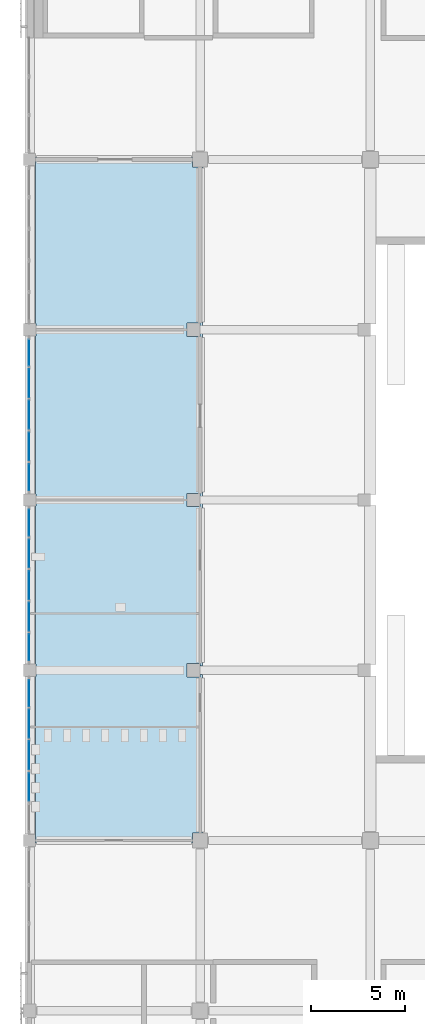
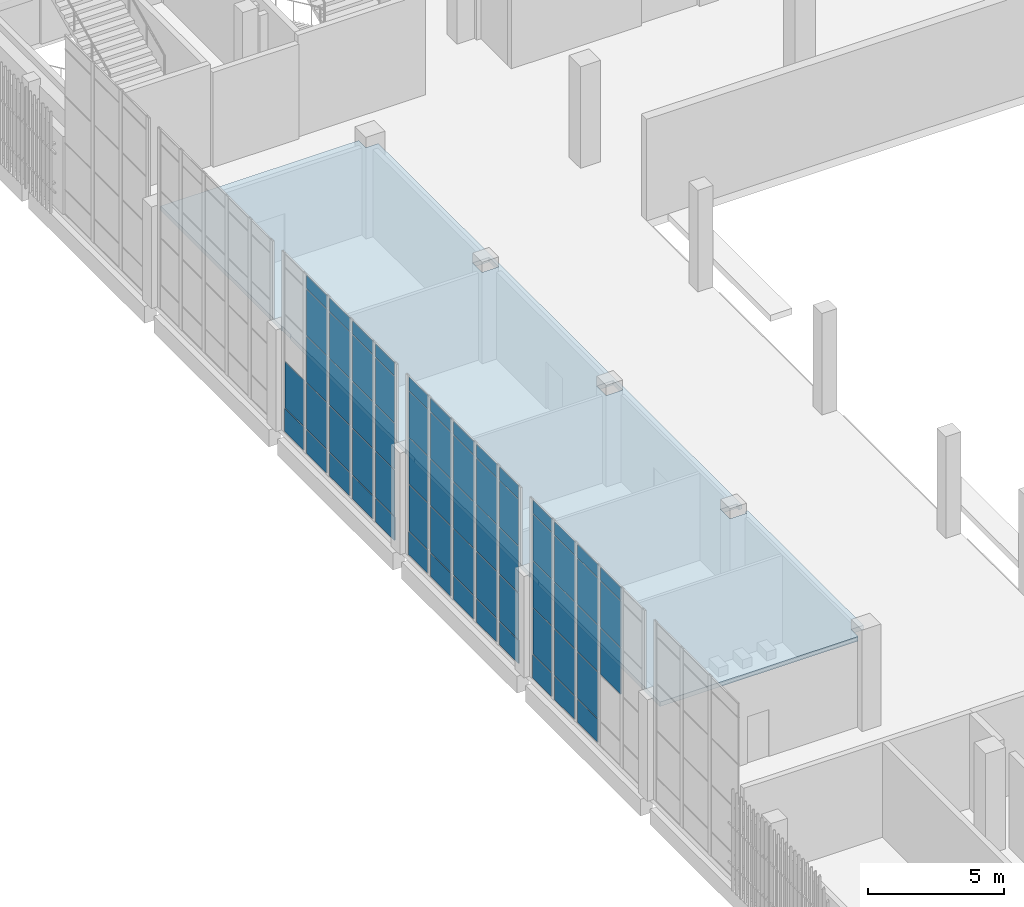
# One storey, part 64 of 126: 65 plates, 1 slab, 3 elements without a shape of their own.
"""IFC4 building model written with IfcOpenShell, lengths in metres."""

import ifcopenshell
import ifcopenshell.guid

model = None  # the IFC model being written
_history = None  # IfcOwnerHistory: only IFC2X3 demands one
_inside = {}  # id of a spatial element -> (the spatial element, [elements in it])
_under = {}  # id of a project, library or spatial element -> (it, [spatial elements below it])
_declared = {}  # id of a project -> (the project, [libraries it declares])
_typed = {}  # id of a type object -> (the type object, [elements of that type])
_made_of = {}  # id of a material, layer set ... -> (it, [elements and type objects made of it])


def new_model(schema):
    """Start an empty IFC model of exactly this schema.

    Asked for "IFC4X3", IfcOpenShell would pick the latest addendum, in which some entities
    have other attributes; the version numbers below select the first issue.
    IFC2X3 requires an IfcOwnerHistory on every rooted entity: one is made here for all.
    """
    global model, _history
    if schema == "IFC4X3":
        model = ifcopenshell.file(schema_version=(4, 3, 0, 0))
    else:
        model = ifcopenshell.file(schema=schema)
    _inside.clear()
    _under.clear()
    _declared.clear()
    _typed.clear()
    _made_of.clear()
    _history = None
    if model.schema == "IFC2X3":
        org = make("IfcOrganization", Name="unknown")
        user = make(
            "IfcPersonAndOrganization",
            ThePerson=make("IfcPerson", FamilyName="unknown"),
            TheOrganization=org,
        )
        app = make(
            "IfcApplication",
            ApplicationDeveloper=org,
            Version="unknown",
            ApplicationFullName="unknown",
            ApplicationIdentifier="unknown",
        )
        _history = make(
            "IfcOwnerHistory",
            OwningUser=user,
            OwningApplication=app,
            ChangeAction="ADDED",
            CreationDate=0,
        )
    return model


def make(cls, **values):
    """One entity of the class cls with the attributes given. An attribute that is None is left unset."""
    return model.create_entity(
        cls, **{name: value for name, value in values.items() if value is not None}
    )


def rooted(cls, **values):
    """An entity with a GlobalId (a new one), such as an element, a storey or a relation."""
    return make(cls, GlobalId=ifcopenshell.guid.new(), OwnerHistory=_history, **values)


def si_unit(unit_type, name, prefix=None):
    """IfcSIUnit, for example si_unit("LENGTHUNIT", "METRE", prefix="MILLI")."""
    return make("IfcSIUnit", UnitType=unit_type, Prefix=prefix, Name=name)


def assignment(units):
    """IfcUnitAssignment: the units of a project."""
    return None if units is None else make("IfcUnitAssignment", Units=units)


def point(xyz):
    """IfcCartesianPoint."""
    return None if xyz is None else make("IfcCartesianPoint", Coordinates=xyz)


def direction(xyz):
    """IfcDirection."""
    return None if xyz is None else make("IfcDirection", DirectionRatios=xyz)


def frame(location, z_axis=None, x_axis=None):
    """IfcAxis2Placement3D, a coordinate frame: its origin and axes. An axis left out is left unset."""
    return make(
        "IfcAxis2Placement3D",
        Location=point(location),
        Axis=direction(z_axis),
        RefDirection=direction(x_axis),
    )


def frame_2d(location, x_axis=None):
    """IfcAxis2Placement2D, a coordinate frame in the plane: its origin and x axis."""
    return make(
        "IfcAxis2Placement2D", Location=point(location), RefDirection=direction(x_axis)
    )


def origin():
    """The frame at (0, 0, 0) with its axes left unset."""
    return frame((0.0, 0.0, 0.0))


def origin_2d():
    """The frame at (0, 0) in the plane with its x axis left unset."""
    return frame_2d((0.0, 0.0))


def place(relative_to, where):
    """IfcLocalPlacement: puts the frame where relative to a parent placement (None: the world)."""
    return make(
        "IfcLocalPlacement", PlacementRelTo=relative_to, RelativePlacement=where
    )


def context(
    kind, dimensions, precision=None, world=None, true_north=None, identifier=None
):
    """IfcGeometricRepresentationContext, for example the 3D "Model" context."""
    return make(
        "IfcGeometricRepresentationContext",
        ContextIdentifier=identifier,
        ContextType=kind,
        CoordinateSpaceDimension=dimensions,
        Precision=precision,
        WorldCoordinateSystem=world,
        TrueNorth=true_north,
    )


def subcontext(parent, identifier, kind, view, scale=None):
    """IfcGeometricRepresentationSubContext, for example "Body" below "Model"."""
    return make(
        "IfcGeometricRepresentationSubContext",
        ContextIdentifier=identifier,
        ContextType=kind,
        ParentContext=parent,
        TargetScale=scale,
        TargetView=view,
    )


def project(units=None, contexts=None):
    """IfcProject with its units and contexts."""
    return rooted(
        "IfcProject",
        Name="project",
        RepresentationContexts=contexts,
        UnitsInContext=assignment(units),
    )


def spatial(cls, under=None, at=None, **own):
    """A site, building, storey or space (cls), placed at a placement, below another one or the project."""
    s = rooted(cls, ObjectPlacement=at, **own)
    if under is not None:
        _under.setdefault(under.id(), (under, []))[1].append(s)
    return s


def polyline(points):
    """IfcPolyline through the points."""
    return make("IfcPolyline", Points=[point(p) for p in points])


def profile(cls, at=None, kind="AREA", **sizes):
    """A parametric profile (cls). Its sizes go by their IFC names, for example OverallWidth=200.0."""
    return make(cls, ProfileType=kind, Position=at, **sizes)


def rectangle(**sizes):
    """IfcRectangleProfileDef."""
    return profile("IfcRectangleProfileDef", **sizes)


def outline(outer, holes=None, kind="AREA"):
    """IfcArbitraryClosedProfileDef: a profile drawn as a closed curve; with holes, ...WithVoids."""
    if holes is None:
        return make("IfcArbitraryClosedProfileDef", ProfileType=kind, OuterCurve=outer)
    return make(
        "IfcArbitraryProfileDefWithVoids",
        ProfileType=kind,
        OuterCurve=outer,
        InnerCurves=holes,
    )


def extrude(swept, where, along, depth):
    """IfcExtrudedAreaSolid: the profile swept, set in the frame where, extruded along a direction by depth."""
    return make(
        "IfcExtrudedAreaSolid",
        SweptArea=swept,
        Position=where,
        ExtrudedDirection=direction(along),
        Depth=depth,
    )


def shape(context_of_items, identifier, shape_type, items):
    """IfcShapeRepresentation: the items that make up one representation, for example the "Body"."""
    return make(
        "IfcShapeRepresentation",
        ContextOfItems=context_of_items,
        RepresentationIdentifier=identifier,
        RepresentationType=shape_type,
        Items=items,
    )


def material(Name=None, Category=None):
    """IfcMaterial."""
    return make("IfcMaterial", Name=Name, Category=Category)


def layer(
    of_material, thickness, ventilated=None, Name=None, Category=None, Priority=None
):
    """IfcMaterialLayer: one layer of a wall or slab, of a material (None: an air gap)."""
    return make(
        "IfcMaterialLayer",
        Material=of_material,
        LayerThickness=thickness,
        IsVentilated=ventilated,
        Name=Name,
        Category=Category,
        Priority=Priority,
    )


def layer_set(layers, Name=None):
    """IfcMaterialLayerSet."""
    return make("IfcMaterialLayerSet", MaterialLayers=layers, LayerSetName=Name)


def made_of(thing, what):
    """Note that an element or type object is made of a material, layer set ...; save() writes the relation."""
    if what is not None:
        _made_of.setdefault(what.id(), (what, []))[1].append(thing)
    return thing


def type_object(cls, material=None, **own):
    """A type object (cls), such as IfcWallType, which elements share."""
    return made_of(rooted(cls, **own), material)


def element(
    cls,
    number,
    at=None,
    inside=None,
    cuts=None,
    type_object=None,
    material=None,
    context=None,
    identifier="Body",
    shape_type=None,
    held_by="IfcProductDefinitionShape",
    body=None,
    shapes=None,
    **own,
):
    """One element of the class cls, such as IfcWall. Its Tag is "e" and its number.

    at: its placement. inside: the storey or other place that contains it. cuts: it is an
    opening in that element (IfcRelVoidsElement). A single representation is given by context,
    identifier, shape_type and body (its items); several are given by shapes. held_by: the class
    of the entity that holds the representations. save() writes the other relations.
    """
    e = rooted(cls, Tag="e%d" % number, ObjectPlacement=at, **own)
    if body is not None:
        shapes = [shape(context, identifier, shape_type, body)]
    if shapes is not None:
        e.Representation = make(held_by, Representations=shapes)
    if inside is not None:
        _inside.setdefault(inside.id(), (inside, []))[1].append(e)
    if cuts is not None:
        rooted(
            "IfcRelVoidsElement", RelatingBuildingElement=cuts, RelatedOpeningElement=e
        )
    if type_object is not None:
        _typed.setdefault(type_object.id(), (type_object, []))[1].append(e)
    return made_of(e, material)


def aggregate(whole, parts):
    """IfcRelAggregates: a whole, such as a stair, and the parts it consists of."""
    return rooted("IfcRelAggregates", RelatingObject=whole, RelatedObjects=parts)


def save(model, path):
    """Write the relations noted so far, then the file.

    IfcRelAggregates (storeys below a building ...), IfcRelContainedInSpatialStructure (elements
    in a storey), IfcRelDefinesByType, IfcRelAssociatesMaterial and IfcRelDeclares: one each for
    every whole, place, type object, material and project.
    """
    for whole, parts in _under.values():
        aggregate(whole, parts)
    for where, things in _inside.values():
        rooted(
            "IfcRelContainedInSpatialStructure",
            RelatedElements=things,
            RelatingStructure=where,
        )
    for kind, things in _typed.values():
        rooted("IfcRelDefinesByType", RelatedObjects=things, RelatingType=kind)
    for what, things in _made_of.values():
        rooted("IfcRelAssociatesMaterial", RelatedObjects=things, RelatingMaterial=what)
    for by, libraries in _declared.values():
        rooted("IfcRelDeclares", RelatingContext=by, RelatedDefinitions=libraries)
    model.write(path)


model = new_model("IFC4")

# Units and contexts
model_context = context("Model", 3, precision=1e-05, world=origin(), true_north=direction((0.0, 1.0)))
body_context = subcontext(model_context, "Body", "Model", "MODEL_VIEW")
ifc_project = project(units=[si_unit("LENGTHUNIT", "METRE"), si_unit("AREAUNIT", "SQUARE_METRE"), si_unit("VOLUMEUNIT", "CUBIC_METRE"), si_unit("PLANEANGLEUNIT", "RADIAN"), si_unit("MASSUNIT", "GRAM", prefix="KILO")], contexts=[model_context])

# Site, building, storey
site_placement = place(None, origin())
site = spatial("IfcSite", under=ifc_project, at=site_placement, CompositionType="ELEMENT")
building_placement = place(site_placement, origin())
building = spatial("IfcBuilding", under=site, at=building_placement, Name="Shirokan Park Arena", CompositionType="ELEMENT")
storey_placement = place(building_placement, frame((0.0, 0.0, 6.3701171875)))
storey = spatial("IfcBuildingStorey", under=building, at=storey_placement, Name="L01", CompositionType="ELEMENT", Elevation=6.3701171875)

# Curtain wall, plates
ifc_material_1 = material(Name="Steel and glass curtain wall", Category="steel")
ifc_layer_1 = layer(ifc_material_1, 0.199951171875)
ifc_layer_set_1 = layer_set([ifc_layer_1], Name="Steel and glass curtain wall 200 mm")
curtain_wall_type = type_object("IfcCurtainWallType", Name="Curtain wall hall bay 200", PredefinedType="NOTDEFINED", material=ifc_layer_set_1)
curtain_wall_1_placement = place(storey_placement, origin())
curtain_wall_1 = element("IfcCurtainWall", 1, at=curtain_wall_1_placement, inside=storey, type_object=curtain_wall_type, Name="Curtain wall west bay 6 L01", PredefinedType="NOTDEFINED")
ifc_material_2 = material(Name="Toughened glass", Category="glass")
ifc_layer_2 = layer(ifc_material_2, 0.012939453125, Name="Toughened glass")
ifc_material_3 = material(Name="Interlayer film")
ifc_layer_3 = layer(ifc_material_3, 0.001953125, Name="Interlayer film")
ifc_layer_4 = layer(ifc_material_2, 0.012939453125, Name="Toughened glass")
ifc_layer_set_2 = layer_set([ifc_layer_2, ifc_layer_3, ifc_layer_4], Name="Toughened glass + Interlayer film")
plate_type_1 = type_object("IfcPlateType", Name="Laminated glass panel 28", PredefinedType="CURTAIN_PANEL", material=ifc_layer_set_2)
plate_1_placement = place(storey_placement, frame((-0.050048828125, 62.47998046875, 1.119873046875), z_axis=(0.0, 0.0, 1.0), x_axis=(0.0, -1.0, 0.0)))
plate_1 = element("IfcPlate", 2, at=plate_1_placement, type_object=plate_type_1, Name="CW5 panel 1.2", PredefinedType="CURTAIN_PANEL", context=body_context, shape_type="SweptSolid", body=[
    extrude(rectangle(XDim=1.389892578125, YDim=0.028076171875, at=origin_2d()), origin(), (0.0, 0.0, 1.0), 2.06005859375),
])
plate_2_placement = place(storey_placement, frame((-0.050048828125, 60.840087890625, 1.119873046875), z_axis=(0.0, 0.0, 1.0), x_axis=(0.0, -1.0, 0.0)))
plate_2 = element("IfcPlate", 3, at=plate_2_placement, type_object=plate_type_1, Name="CW5 panel 2.2", PredefinedType="CURTAIN_PANEL", context=body_context, shape_type="SweptSolid", body=[
    extrude(rectangle(XDim=1.489990234375, YDim=0.028076171875, at=origin_2d()), origin(), (0.0, 0.0, 1.0), 2.06005859375),
])
plate_3_placement = place(storey_placement, frame((-0.050048828125, 60.840087890625, 3.219970703125), z_axis=(0.0, 0.0, 1.0), x_axis=(0.0, -1.0, 0.0)))
plate_3 = element("IfcPlate", 4, at=plate_3_placement, type_object=plate_type_1, Name="CW5 panel 2.3", PredefinedType="CURTAIN_PANEL", context=body_context, shape_type="SweptSolid", body=[
    extrude(rectangle(XDim=1.489990234375, YDim=0.028076171875, at=origin_2d()), origin(), (0.0, 0.0, 1.0), 2.06005859375),
])
plate_4_placement = place(storey_placement, frame((-0.050048828125, 60.840087890625, 5.31982421875), z_axis=(0.0, 0.0, 1.0), x_axis=(0.0, -1.0, 0.0)))
plate_4 = element("IfcPlate", 5, at=plate_4_placement, type_object=plate_type_1, Name="CW5 panel 2.4", PredefinedType="CURTAIN_PANEL", context=body_context, shape_type="SweptSolid", body=[
    extrude(rectangle(XDim=1.489990234375, YDim=0.028076171875, at=origin_2d()), origin(), (0.0, 0.0, 1.0), 2.06005859375),
])
plate_5_placement = place(storey_placement, frame((-0.050048828125, 60.840087890625, 7.419921875), z_axis=(0.0, 0.0, 1.0), x_axis=(0.0, -1.0, 0.0)))
plate_5 = element("IfcPlate", 6, at=plate_5_placement, type_object=plate_type_1, Name="CW5 panel 2.5", PredefinedType="CURTAIN_PANEL", context=body_context, shape_type="SweptSolid", body=[
    extrude(rectangle(XDim=1.489990234375, YDim=0.028076171875, at=origin_2d()), origin(), (0.0, 0.0, 1.0), 0.590087890625),
])
plate_6_placement = place(storey_placement, frame((-0.050048828125, 59.14990234375, 1.119873046875), z_axis=(0.0, 0.0, 1.0), x_axis=(0.0, -1.0, 0.0)))
plate_6 = element("IfcPlate", 7, at=plate_6_placement, type_object=plate_type_1, Name="CW5 panel 3.2", PredefinedType="CURTAIN_PANEL", context=body_context, shape_type="SweptSolid", body=[
    extrude(rectangle(XDim=1.489990234375, YDim=0.028076171875, at=origin_2d()), origin(), (0.0, 0.0, 1.0), 2.06005859375),
])
plate_7_placement = place(storey_placement, frame((-0.050048828125, 59.14990234375, 3.219970703125), z_axis=(0.0, 0.0, 1.0), x_axis=(0.0, -1.0, 0.0)))
plate_7 = element("IfcPlate", 8, at=plate_7_placement, type_object=plate_type_1, Name="CW5 panel 3.3", PredefinedType="CURTAIN_PANEL", context=body_context, shape_type="SweptSolid", body=[
    extrude(rectangle(XDim=1.489990234375, YDim=0.028076171875, at=origin_2d()), origin(), (0.0, 0.0, 1.0), 2.06005859375),
])
plate_8_placement = place(storey_placement, frame((-0.050048828125, 59.14990234375, 5.31982421875), z_axis=(0.0, 0.0, 1.0), x_axis=(0.0, -1.0, 0.0)))
plate_8 = element("IfcPlate", 9, at=plate_8_placement, type_object=plate_type_1, Name="CW5 panel 3.4", PredefinedType="CURTAIN_PANEL", context=body_context, shape_type="SweptSolid", body=[
    extrude(rectangle(XDim=1.489990234375, YDim=0.028076171875, at=origin_2d()), origin(), (0.0, 0.0, 1.0), 2.06005859375),
])
plate_9_placement = place(storey_placement, frame((-0.050048828125, 59.14990234375, 7.419921875), z_axis=(0.0, 0.0, 1.0), x_axis=(0.0, -1.0, 0.0)))
plate_9 = element("IfcPlate", 10, at=plate_9_placement, type_object=plate_type_1, Name="CW5 panel 3.5", PredefinedType="CURTAIN_PANEL", context=body_context, shape_type="SweptSolid", body=[
    extrude(rectangle(XDim=1.489990234375, YDim=0.028076171875, at=origin_2d()), origin(), (0.0, 0.0, 1.0), 0.590087890625),
])
plate_10_placement = place(storey_placement, frame((-0.050048828125, 57.4599609375, 1.119873046875), z_axis=(0.0, 0.0, 1.0), x_axis=(0.0, -1.0, 0.0)))
plate_10 = element("IfcPlate", 11, at=plate_10_placement, type_object=plate_type_1, Name="CW5 panel 4.2", PredefinedType="CURTAIN_PANEL", context=body_context, shape_type="SweptSolid", body=[
    extrude(rectangle(XDim=1.489990234375, YDim=0.028076171875, at=origin_2d()), origin(), (0.0, 0.0, 1.0), 2.06005859375),
])
plate_11_placement = place(storey_placement, frame((-0.050048828125, 57.4599609375, 3.219970703125), z_axis=(0.0, 0.0, 1.0), x_axis=(0.0, -1.0, 0.0)))
plate_11 = element("IfcPlate", 12, at=plate_11_placement, type_object=plate_type_1, Name="CW5 panel 4.3", PredefinedType="CURTAIN_PANEL", context=body_context, shape_type="SweptSolid", body=[
    extrude(rectangle(XDim=1.489990234375, YDim=0.028076171875, at=origin_2d()), origin(), (0.0, 0.0, 1.0), 2.06005859375),
])
plate_12_placement = place(storey_placement, frame((-0.050048828125, 57.4599609375, 5.31982421875), z_axis=(0.0, 0.0, 1.0), x_axis=(0.0, -1.0, 0.0)))
plate_12 = element("IfcPlate", 13, at=plate_12_placement, type_object=plate_type_1, Name="CW5 panel 4.4", PredefinedType="CURTAIN_PANEL", context=body_context, shape_type="SweptSolid", body=[
    extrude(rectangle(XDim=1.489990234375, YDim=0.028076171875, at=origin_2d()), origin(), (0.0, 0.0, 1.0), 2.06005859375),
])
plate_13_placement = place(storey_placement, frame((-0.050048828125, 57.4599609375, 7.419921875), z_axis=(0.0, 0.0, 1.0), x_axis=(0.0, -1.0, 0.0)))
plate_13 = element("IfcPlate", 14, at=plate_13_placement, type_object=plate_type_1, Name="CW5 panel 4.5", PredefinedType="CURTAIN_PANEL", context=body_context, shape_type="SweptSolid", body=[
    extrude(rectangle(XDim=1.489990234375, YDim=0.028076171875, at=origin_2d()), origin(), (0.0, 0.0, 1.0), 0.590087890625),
])
plate_14_placement = place(storey_placement, frame((-0.050048828125, 55.820068359375, 1.119873046875), z_axis=(0.0, 0.0, 1.0), x_axis=(0.0, -1.0, 0.0)))
plate_14 = element("IfcPlate", 15, at=plate_14_placement, type_object=plate_type_1, Name="CW5 panel 5.2", PredefinedType="CURTAIN_PANEL", context=body_context, shape_type="SweptSolid", body=[
    extrude(rectangle(XDim=1.389892578125, YDim=0.028076171875, at=origin_2d()), origin(), (0.0, 0.0, 1.0), 2.06005859375),
])
plate_15_placement = place(storey_placement, frame((-0.050048828125, 55.820068359375, 3.219970703125), z_axis=(0.0, 0.0, 1.0), x_axis=(0.0, -1.0, 0.0)))
plate_15 = element("IfcPlate", 16, at=plate_15_placement, type_object=plate_type_1, Name="CW5 panel 5.3", PredefinedType="CURTAIN_PANEL", context=body_context, shape_type="SweptSolid", body=[
    extrude(rectangle(XDim=1.389892578125, YDim=0.028076171875, at=origin_2d()), origin(), (0.0, 0.0, 1.0), 2.06005859375),
])
plate_16_placement = place(storey_placement, frame((-0.050048828125, 55.820068359375, 5.31982421875), z_axis=(0.0, 0.0, 1.0), x_axis=(0.0, -1.0, 0.0)))
plate_16 = element("IfcPlate", 17, at=plate_16_placement, type_object=plate_type_1, Name="CW5 panel 5.4", PredefinedType="CURTAIN_PANEL", context=body_context, shape_type="SweptSolid", body=[
    extrude(rectangle(XDim=1.389892578125, YDim=0.028076171875, at=origin_2d()), origin(), (0.0, 0.0, 1.0), 2.06005859375),
])
plate_17_placement = place(storey_placement, frame((-0.050048828125, 55.820068359375, 7.419921875), z_axis=(0.0, 0.0, 1.0), x_axis=(0.0, -1.0, 0.0)))
plate_17 = element("IfcPlate", 18, at=plate_17_placement, type_object=plate_type_1, Name="CW5 panel 5.5", PredefinedType="CURTAIN_PANEL", context=body_context, shape_type="SweptSolid", body=[
    extrude(rectangle(XDim=1.389892578125, YDim=0.028076171875, at=origin_2d()), origin(), (0.0, 0.0, 1.0), 0.590087890625),
])

curtain_wall_2_placement = place(storey_placement, origin())
curtain_wall_2 = element("IfcCurtainWall", 19, at=curtain_wall_2_placement, inside=storey, type_object=curtain_wall_type, Name="Curtain wall west bay 7 L01", PredefinedType="NOTDEFINED")
plate_18_placement = place(storey_placement, frame((-0.050048828125, 53.3798828125, 1.119873046875), z_axis=(0.0, 0.0, 1.0), x_axis=(0.0, -1.0, 0.0)))
plate_18 = element("IfcPlate", 20, at=plate_18_placement, type_object=plate_type_1, Name="CW5 panel 1.2", PredefinedType="CURTAIN_PANEL", context=body_context, shape_type="SweptSolid", body=[
    extrude(rectangle(XDim=1.389892578125, YDim=0.028076171875, at=origin_2d()), origin(), (0.0, 0.0, 1.0), 2.06005859375),
])
plate_19_placement = place(storey_placement, frame((-0.050048828125, 53.3798828125, 3.219970703125), z_axis=(0.0, 0.0, 1.0), x_axis=(0.0, -1.0, 0.0)))
plate_19 = element("IfcPlate", 21, at=plate_19_placement, type_object=plate_type_1, Name="CW5 panel 1.3", PredefinedType="CURTAIN_PANEL", context=body_context, shape_type="SweptSolid", body=[
    extrude(rectangle(XDim=1.389892578125, YDim=0.028076171875, at=origin_2d()), origin(), (0.0, 0.0, 1.0), 2.06005859375),
])
plate_20_placement = place(storey_placement, frame((-0.050048828125, 53.3798828125, 5.31982421875), z_axis=(0.0, 0.0, 1.0), x_axis=(0.0, -1.0, 0.0)))
plate_20 = element("IfcPlate", 22, at=plate_20_placement, type_object=plate_type_1, Name="CW5 panel 1.4", PredefinedType="CURTAIN_PANEL", context=body_context, shape_type="SweptSolid", body=[
    extrude(rectangle(XDim=1.389892578125, YDim=0.028076171875, at=origin_2d()), origin(), (0.0, 0.0, 1.0), 2.06005859375),
])
plate_21_placement = place(storey_placement, frame((-0.050048828125, 53.3798828125, 7.419921875), z_axis=(0.0, 0.0, 1.0), x_axis=(0.0, -1.0, 0.0)))
plate_21 = element("IfcPlate", 23, at=plate_21_placement, type_object=plate_type_1, Name="CW5 panel 1.5", PredefinedType="CURTAIN_PANEL", context=body_context, shape_type="SweptSolid", body=[
    extrude(rectangle(XDim=1.389892578125, YDim=0.028076171875, at=origin_2d()), origin(), (0.0, 0.0, 1.0), 0.590087890625),
])
plate_22_placement = place(storey_placement, frame((-0.050048828125, 51.739990234375, 1.119873046875), z_axis=(0.0, 0.0, 1.0), x_axis=(0.0, -1.0, 0.0)))
plate_22 = element("IfcPlate", 24, at=plate_22_placement, type_object=plate_type_1, Name="CW5 panel 2.2", PredefinedType="CURTAIN_PANEL", context=body_context, shape_type="SweptSolid", body=[
    extrude(rectangle(XDim=1.489990234375, YDim=0.028076171875, at=origin_2d()), origin(), (0.0, 0.0, 1.0), 2.06005859375),
])
plate_23_placement = place(storey_placement, frame((-0.050048828125, 51.739990234375, 3.219970703125), z_axis=(0.0, 0.0, 1.0), x_axis=(0.0, -1.0, 0.0)))
plate_23 = element("IfcPlate", 25, at=plate_23_placement, type_object=plate_type_1, Name="CW5 panel 2.3", PredefinedType="CURTAIN_PANEL", context=body_context, shape_type="SweptSolid", body=[
    extrude(rectangle(XDim=1.489990234375, YDim=0.028076171875, at=origin_2d()), origin(), (0.0, 0.0, 1.0), 2.06005859375),
])
plate_24_placement = place(storey_placement, frame((-0.050048828125, 51.739990234375, 5.31982421875), z_axis=(0.0, 0.0, 1.0), x_axis=(0.0, -1.0, 0.0)))
plate_24 = element("IfcPlate", 26, at=plate_24_placement, type_object=plate_type_1, Name="CW5 panel 2.4", PredefinedType="CURTAIN_PANEL", context=body_context, shape_type="SweptSolid", body=[
    extrude(rectangle(XDim=1.489990234375, YDim=0.028076171875, at=origin_2d()), origin(), (0.0, 0.0, 1.0), 2.06005859375),
])
plate_25_placement = place(storey_placement, frame((-0.050048828125, 51.739990234375, 7.419921875), z_axis=(0.0, 0.0, 1.0), x_axis=(0.0, -1.0, 0.0)))
plate_25 = element("IfcPlate", 27, at=plate_25_placement, type_object=plate_type_1, Name="CW5 panel 2.5", PredefinedType="CURTAIN_PANEL", context=body_context, shape_type="SweptSolid", body=[
    extrude(rectangle(XDim=1.489990234375, YDim=0.028076171875, at=origin_2d()), origin(), (0.0, 0.0, 1.0), 0.590087890625),
])
plate_26_placement = place(storey_placement, frame((-0.050048828125, 50.050048828125, 1.119873046875), z_axis=(0.0, 0.0, 1.0), x_axis=(0.0, -1.0, 0.0)))
plate_26 = element("IfcPlate", 28, at=plate_26_placement, type_object=plate_type_1, Name="CW5 panel 3.2", PredefinedType="CURTAIN_PANEL", context=body_context, shape_type="SweptSolid", body=[
    extrude(rectangle(XDim=1.489990234375, YDim=0.028076171875, at=origin_2d()), origin(), (0.0, 0.0, 1.0), 2.06005859375),
])
plate_27_placement = place(storey_placement, frame((-0.050048828125, 50.050048828125, 3.219970703125), z_axis=(0.0, 0.0, 1.0), x_axis=(0.0, -1.0, 0.0)))
plate_27 = element("IfcPlate", 29, at=plate_27_placement, type_object=plate_type_1, Name="CW5 panel 3.3", PredefinedType="CURTAIN_PANEL", context=body_context, shape_type="SweptSolid", body=[
    extrude(rectangle(XDim=1.489990234375, YDim=0.028076171875, at=origin_2d()), origin(), (0.0, 0.0, 1.0), 2.06005859375),
])
plate_28_placement = place(storey_placement, frame((-0.050048828125, 50.050048828125, 5.31982421875), z_axis=(0.0, 0.0, 1.0), x_axis=(0.0, -1.0, 0.0)))
plate_28 = element("IfcPlate", 30, at=plate_28_placement, type_object=plate_type_1, Name="CW5 panel 3.4", PredefinedType="CURTAIN_PANEL", context=body_context, shape_type="SweptSolid", body=[
    extrude(rectangle(XDim=1.489990234375, YDim=0.028076171875, at=origin_2d()), origin(), (0.0, 0.0, 1.0), 2.06005859375),
])
plate_29_placement = place(storey_placement, frame((-0.050048828125, 50.050048828125, 7.419921875), z_axis=(0.0, 0.0, 1.0), x_axis=(0.0, -1.0, 0.0)))
plate_29 = element("IfcPlate", 31, at=plate_29_placement, type_object=plate_type_1, Name="CW5 panel 3.5", PredefinedType="CURTAIN_PANEL", context=body_context, shape_type="SweptSolid", body=[
    extrude(rectangle(XDim=1.489990234375, YDim=0.028076171875, at=origin_2d()), origin(), (0.0, 0.0, 1.0), 0.590087890625),
])
plate_30_placement = place(storey_placement, frame((-0.050048828125, 48.360107421875, 1.119873046875), z_axis=(0.0, 0.0, 1.0), x_axis=(0.0, -1.0, 0.0)))
plate_30 = element("IfcPlate", 32, at=plate_30_placement, type_object=plate_type_1, Name="CW5 panel 4.2", PredefinedType="CURTAIN_PANEL", context=body_context, shape_type="SweptSolid", body=[
    extrude(rectangle(XDim=1.489990234375, YDim=0.028076171875, at=origin_2d()), origin(), (0.0, 0.0, 1.0), 2.06005859375),
])
plate_31_placement = place(storey_placement, frame((-0.050048828125, 48.360107421875, 3.219970703125), z_axis=(0.0, 0.0, 1.0), x_axis=(0.0, -1.0, 0.0)))
plate_31 = element("IfcPlate", 33, at=plate_31_placement, type_object=plate_type_1, Name="CW5 panel 4.3", PredefinedType="CURTAIN_PANEL", context=body_context, shape_type="SweptSolid", body=[
    extrude(rectangle(XDim=1.489990234375, YDim=0.028076171875, at=origin_2d()), origin(), (0.0, 0.0, 1.0), 2.06005859375),
])
plate_32_placement = place(storey_placement, frame((-0.050048828125, 48.360107421875, 5.31982421875), z_axis=(0.0, 0.0, 1.0), x_axis=(0.0, -1.0, 0.0)))
plate_32 = element("IfcPlate", 34, at=plate_32_placement, type_object=plate_type_1, Name="CW5 panel 4.4", PredefinedType="CURTAIN_PANEL", context=body_context, shape_type="SweptSolid", body=[
    extrude(rectangle(XDim=1.489990234375, YDim=0.028076171875, at=origin_2d()), origin(), (0.0, 0.0, 1.0), 2.06005859375),
])
plate_33_placement = place(storey_placement, frame((-0.050048828125, 48.360107421875, 7.419921875), z_axis=(0.0, 0.0, 1.0), x_axis=(0.0, -1.0, 0.0)))
plate_33 = element("IfcPlate", 35, at=plate_33_placement, type_object=plate_type_1, Name="CW5 panel 4.5", PredefinedType="CURTAIN_PANEL", context=body_context, shape_type="SweptSolid", body=[
    extrude(rectangle(XDim=1.489990234375, YDim=0.028076171875, at=origin_2d()), origin(), (0.0, 0.0, 1.0), 0.590087890625),
])
plate_34_placement = place(storey_placement, frame((-0.050048828125, 46.719970703125, 1.119873046875), z_axis=(0.0, 0.0, 1.0), x_axis=(0.0, -1.0, 0.0)))
plate_34 = element("IfcPlate", 36, at=plate_34_placement, type_object=plate_type_1, Name="CW5 panel 5.2", PredefinedType="CURTAIN_PANEL", context=body_context, shape_type="SweptSolid", body=[
    extrude(rectangle(XDim=1.389892578125, YDim=0.028076171875, at=origin_2d()), origin(), (0.0, 0.0, 1.0), 2.06005859375),
])
plate_35_placement = place(storey_placement, frame((-0.050048828125, 46.719970703125, 3.219970703125), z_axis=(0.0, 0.0, 1.0), x_axis=(0.0, -1.0, 0.0)))
plate_35 = element("IfcPlate", 37, at=plate_35_placement, type_object=plate_type_1, Name="CW5 panel 5.3", PredefinedType="CURTAIN_PANEL", context=body_context, shape_type="SweptSolid", body=[
    extrude(rectangle(XDim=1.389892578125, YDim=0.028076171875, at=origin_2d()), origin(), (0.0, 0.0, 1.0), 2.06005859375),
])
plate_36_placement = place(storey_placement, frame((-0.050048828125, 46.719970703125, 5.31982421875), z_axis=(0.0, 0.0, 1.0), x_axis=(0.0, -1.0, 0.0)))
plate_36 = element("IfcPlate", 38, at=plate_36_placement, type_object=plate_type_1, Name="CW5 panel 5.4", PredefinedType="CURTAIN_PANEL", context=body_context, shape_type="SweptSolid", body=[
    extrude(rectangle(XDim=1.389892578125, YDim=0.028076171875, at=origin_2d()), origin(), (0.0, 0.0, 1.0), 2.06005859375),
])
plate_37_placement = place(storey_placement, frame((-0.050048828125, 46.719970703125, 7.419921875), z_axis=(0.0, 0.0, 1.0), x_axis=(0.0, -1.0, 0.0)))
plate_37 = element("IfcPlate", 39, at=plate_37_placement, type_object=plate_type_1, Name="CW5 panel 5.5", PredefinedType="CURTAIN_PANEL", context=body_context, shape_type="SweptSolid", body=[
    extrude(rectangle(XDim=1.389892578125, YDim=0.028076171875, at=origin_2d()), origin(), (0.0, 0.0, 1.0), 0.590087890625),
])

curtain_wall_3_placement = place(storey_placement, origin())
curtain_wall_3 = element("IfcCurtainWall", 40, at=curtain_wall_3_placement, inside=storey, type_object=curtain_wall_type, Name="Curtain wall west bay 8 L01", PredefinedType="NOTDEFINED")
plate_38_placement = place(storey_placement, frame((-0.050048828125, 44.280029296875, 1.119873046875), z_axis=(0.0, 0.0, 1.0), x_axis=(0.0, -1.0, 0.0)))
plate_38 = element("IfcPlate", 41, at=plate_38_placement, type_object=plate_type_1, Name="CW5 panel 1.2", PredefinedType="CURTAIN_PANEL", context=body_context, shape_type="SweptSolid", body=[
    extrude(rectangle(XDim=1.389892578125, YDim=0.028076171875, at=origin_2d()), origin(), (0.0, 0.0, 1.0), 2.06005859375),
])
plate_39_placement = place(storey_placement, frame((-0.050048828125, 44.280029296875, 3.219970703125), z_axis=(0.0, 0.0, 1.0), x_axis=(0.0, -1.0, 0.0)))
plate_39 = element("IfcPlate", 42, at=plate_39_placement, type_object=plate_type_1, Name="CW5 panel 1.3", PredefinedType="CURTAIN_PANEL", context=body_context, shape_type="SweptSolid", body=[
    extrude(rectangle(XDim=1.389892578125, YDim=0.028076171875, at=origin_2d()), origin(), (0.0, 0.0, 1.0), 2.06005859375),
])
plate_40_placement = place(storey_placement, frame((-0.050048828125, 44.280029296875, 5.31982421875), z_axis=(0.0, 0.0, 1.0), x_axis=(0.0, -1.0, 0.0)))
plate_40 = element("IfcPlate", 43, at=plate_40_placement, type_object=plate_type_1, Name="CW5 panel 1.4", PredefinedType="CURTAIN_PANEL", context=body_context, shape_type="SweptSolid", body=[
    extrude(rectangle(XDim=1.389892578125, YDim=0.028076171875, at=origin_2d()), origin(), (0.0, 0.0, 1.0), 2.06005859375),
])
plate_41_placement = place(storey_placement, frame((-0.050048828125, 44.280029296875, 7.419921875), z_axis=(0.0, 0.0, 1.0), x_axis=(0.0, -1.0, 0.0)))
plate_41 = element("IfcPlate", 44, at=plate_41_placement, type_object=plate_type_1, Name="CW5 panel 1.5", PredefinedType="CURTAIN_PANEL", context=body_context, shape_type="SweptSolid", body=[
    extrude(rectangle(XDim=1.389892578125, YDim=0.028076171875, at=origin_2d()), origin(), (0.0, 0.0, 1.0), 0.590087890625),
])
plate_42_placement = place(storey_placement, frame((-0.050048828125, 42.639892578125, 1.119873046875), z_axis=(0.0, 0.0, 1.0), x_axis=(0.0, -1.0, 0.0)))
plate_42 = element("IfcPlate", 45, at=plate_42_placement, type_object=plate_type_1, Name="CW5 panel 2.2", PredefinedType="CURTAIN_PANEL", context=body_context, shape_type="SweptSolid", body=[
    extrude(rectangle(XDim=1.489990234375, YDim=0.028076171875, at=origin_2d()), origin(), (0.0, 0.0, 1.0), 2.06005859375),
])
plate_43_placement = place(storey_placement, frame((-0.050048828125, 42.639892578125, 3.219970703125), z_axis=(0.0, 0.0, 1.0), x_axis=(0.0, -1.0, 0.0)))
plate_43 = element("IfcPlate", 46, at=plate_43_placement, type_object=plate_type_1, Name="CW5 panel 2.3", PredefinedType="CURTAIN_PANEL", context=body_context, shape_type="SweptSolid", body=[
    extrude(rectangle(XDim=1.489990234375, YDim=0.028076171875, at=origin_2d()), origin(), (0.0, 0.0, 1.0), 2.06005859375),
])
plate_44_placement = place(storey_placement, frame((-0.050048828125, 42.639892578125, 5.31982421875), z_axis=(0.0, 0.0, 1.0), x_axis=(0.0, -1.0, 0.0)))
plate_44 = element("IfcPlate", 47, at=plate_44_placement, type_object=plate_type_1, Name="CW5 panel 2.4", PredefinedType="CURTAIN_PANEL", context=body_context, shape_type="SweptSolid", body=[
    extrude(rectangle(XDim=1.489990234375, YDim=0.028076171875, at=origin_2d()), origin(), (0.0, 0.0, 1.0), 2.06005859375),
])
plate_45_placement = place(storey_placement, frame((-0.050048828125, 42.639892578125, 7.419921875), z_axis=(0.0, 0.0, 1.0), x_axis=(0.0, -1.0, 0.0)))
plate_45 = element("IfcPlate", 48, at=plate_45_placement, type_object=plate_type_1, Name="CW5 panel 2.5", PredefinedType="CURTAIN_PANEL", context=body_context, shape_type="SweptSolid", body=[
    extrude(rectangle(XDim=1.489990234375, YDim=0.028076171875, at=origin_2d()), origin(), (0.0, 0.0, 1.0), 0.590087890625),
])
plate_46_placement = place(storey_placement, frame((-0.050048828125, 40.949951171875, 1.119873046875), z_axis=(0.0, 0.0, 1.0), x_axis=(0.0, -1.0, 0.0)))
plate_46 = element("IfcPlate", 49, at=plate_46_placement, type_object=plate_type_1, Name="CW5 panel 3.2", PredefinedType="CURTAIN_PANEL", context=body_context, shape_type="SweptSolid", body=[
    extrude(rectangle(XDim=1.489990234375, YDim=0.028076171875, at=origin_2d()), origin(), (0.0, 0.0, 1.0), 2.06005859375),
])
plate_47_placement = place(storey_placement, frame((-0.050048828125, 40.949951171875, 3.219970703125), z_axis=(0.0, 0.0, 1.0), x_axis=(0.0, -1.0, 0.0)))
plate_47 = element("IfcPlate", 50, at=plate_47_placement, type_object=plate_type_1, Name="CW5 panel 3.3", PredefinedType="CURTAIN_PANEL", context=body_context, shape_type="SweptSolid", body=[
    extrude(rectangle(XDim=1.489990234375, YDim=0.028076171875, at=origin_2d()), origin(), (0.0, 0.0, 1.0), 2.06005859375),
])
plate_48_placement = place(storey_placement, frame((-0.050048828125, 40.949951171875, 5.31982421875), z_axis=(0.0, 0.0, 1.0), x_axis=(0.0, -1.0, 0.0)))
plate_48 = element("IfcPlate", 51, at=plate_48_placement, type_object=plate_type_1, Name="CW5 panel 3.4", PredefinedType="CURTAIN_PANEL", context=body_context, shape_type="SweptSolid", body=[
    extrude(rectangle(XDim=1.489990234375, YDim=0.028076171875, at=origin_2d()), origin(), (0.0, 0.0, 1.0), 2.06005859375),
])
plate_49_placement = place(storey_placement, frame((-0.050048828125, 40.949951171875, 7.419921875), z_axis=(0.0, 0.0, 1.0), x_axis=(0.0, -1.0, 0.0)))
plate_49 = element("IfcPlate", 52, at=plate_49_placement, type_object=plate_type_1, Name="CW5 panel 3.5", PredefinedType="CURTAIN_PANEL", context=body_context, shape_type="SweptSolid", body=[
    extrude(rectangle(XDim=1.489990234375, YDim=0.028076171875, at=origin_2d()), origin(), (0.0, 0.0, 1.0), 0.590087890625),
])
plate_50_placement = place(storey_placement, frame((-0.050048828125, 39.260009765625, 3.219970703125), z_axis=(0.0, 0.0, 1.0), x_axis=(0.0, -1.0, 0.0)))
plate_50 = element("IfcPlate", 53, at=plate_50_placement, type_object=plate_type_1, Name="CW5 panel 4.3", PredefinedType="CURTAIN_PANEL", context=body_context, shape_type="SweptSolid", body=[
    extrude(rectangle(XDim=1.489990234375, YDim=0.028076171875, at=origin_2d()), origin(), (0.0, 0.0, 1.0), 2.06005859375),
])
plate_51_placement = place(storey_placement, frame((-0.050048828125, 39.260009765625, 5.31982421875), z_axis=(0.0, 0.0, 1.0), x_axis=(0.0, -1.0, 0.0)))
plate_51 = element("IfcPlate", 54, at=plate_51_placement, type_object=plate_type_1, Name="CW5 panel 4.4", PredefinedType="CURTAIN_PANEL", context=body_context, shape_type="SweptSolid", body=[
    extrude(rectangle(XDim=1.489990234375, YDim=0.028076171875, at=origin_2d()), origin(), (0.0, 0.0, 1.0), 2.06005859375),
])
plate_52_placement = place(storey_placement, frame((-0.050048828125, 39.260009765625, 7.419921875), z_axis=(0.0, 0.0, 1.0), x_axis=(0.0, -1.0, 0.0)))
plate_52 = element("IfcPlate", 55, at=plate_52_placement, type_object=plate_type_1, Name="CW5 panel 4.5", PredefinedType="CURTAIN_PANEL", context=body_context, shape_type="SweptSolid", body=[
    extrude(rectangle(XDim=1.489990234375, YDim=0.028076171875, at=origin_2d()), origin(), (0.0, 0.0, 1.0), 0.590087890625),
])

# Plate
ifc_layer_5 = layer(ifc_material_2, 0.01708984375, Name="Toughened glass")
ifc_layer_6 = layer(ifc_material_3, 0.001953125, Name="Interlayer film")
ifc_layer_7 = layer(ifc_material_2, 0.01708984375, Name="Toughened glass")
ifc_layer_set_3 = layer_set([ifc_layer_5, ifc_layer_6, ifc_layer_7], Name="Toughened glass + Interlayer film")
plate_type_2 = type_object("IfcPlateType", Name="Laminated safety glass panel 36", PredefinedType="CURTAIN_PANEL", material=ifc_layer_set_3)
plate_53_placement = place(storey_placement, frame((-0.050048828125, 62.47998046875, 0.039794921875), z_axis=(0.0, 0.0, 1.0), x_axis=(0.0, -1.0, 0.0)))
plate_53 = element("IfcPlate", 56, at=plate_53_placement, type_object=plate_type_2, Name="CW5 panel 1.1", PredefinedType="CURTAIN_PANEL", context=body_context, shape_type="SweptSolid", body=[
    extrude(rectangle(XDim=1.389892578125, YDim=0.035888671875, at=origin_2d()), origin(), (0.0, 0.0, 1.0), 1.0400390625),
])

plate_54_placement = place(storey_placement, frame((-0.050048828125, 60.840087890625, 0.039794921875), z_axis=(0.0, 0.0, 1.0), x_axis=(0.0, -1.0, 0.0)))
plate_54 = element("IfcPlate", 57, at=plate_54_placement, type_object=plate_type_2, Name="CW5 panel 2.1", PredefinedType="CURTAIN_PANEL", context=body_context, shape_type="SweptSolid", body=[
    extrude(rectangle(XDim=1.489990234375, YDim=0.035888671875, at=origin_2d()), origin(), (0.0, 0.0, 1.0), 1.0400390625),
])

plate_55_placement = place(storey_placement, frame((-0.050048828125, 59.14990234375, 0.039794921875), z_axis=(0.0, 0.0, 1.0), x_axis=(0.0, -1.0, 0.0)))
plate_55 = element("IfcPlate", 58, at=plate_55_placement, type_object=plate_type_2, Name="CW5 panel 3.1", PredefinedType="CURTAIN_PANEL", context=body_context, shape_type="SweptSolid", body=[
    extrude(rectangle(XDim=1.489990234375, YDim=0.035888671875, at=origin_2d()), origin(), (0.0, 0.0, 1.0), 1.0400390625),
])

plate_56_placement = place(storey_placement, frame((-0.050048828125, 57.4599609375, 0.039794921875), z_axis=(0.0, 0.0, 1.0), x_axis=(0.0, -1.0, 0.0)))
plate_56 = element("IfcPlate", 59, at=plate_56_placement, type_object=plate_type_2, Name="CW5 panel 4.1", PredefinedType="CURTAIN_PANEL", context=body_context, shape_type="SweptSolid", body=[
    extrude(rectangle(XDim=1.489990234375, YDim=0.035888671875, at=origin_2d()), origin(), (0.0, 0.0, 1.0), 1.0400390625),
])

plate_57_placement = place(storey_placement, frame((-0.050048828125, 55.820068359375, 0.039794921875), z_axis=(0.0, 0.0, 1.0), x_axis=(0.0, -1.0, 0.0)))
plate_57 = element("IfcPlate", 60, at=plate_57_placement, type_object=plate_type_2, Name="CW5 panel 5.1", PredefinedType="CURTAIN_PANEL", context=body_context, shape_type="SweptSolid", body=[
    extrude(rectangle(XDim=1.389892578125, YDim=0.035888671875, at=origin_2d()), origin(), (0.0, 0.0, 1.0), 1.0400390625),
])

aggregate(curtain_wall_1, [plate_53, plate_1, plate_54, plate_2, plate_3, plate_4, plate_5, plate_55, plate_6, plate_7, plate_8, plate_9, plate_56, plate_10, plate_11, plate_12, plate_13, plate_57, plate_14, plate_15, plate_16, plate_17])

plate_58_placement = place(storey_placement, frame((-0.050048828125, 53.3798828125, 0.039794921875), z_axis=(0.0, 0.0, 1.0), x_axis=(0.0, -1.0, 0.0)))
plate_58 = element("IfcPlate", 61, at=plate_58_placement, type_object=plate_type_2, Name="CW5 panel 1.1", PredefinedType="CURTAIN_PANEL", context=body_context, shape_type="SweptSolid", body=[
    extrude(rectangle(XDim=1.389892578125, YDim=0.035888671875, at=origin_2d()), origin(), (0.0, 0.0, 1.0), 1.0400390625),
])

plate_59_placement = place(storey_placement, frame((-0.050048828125, 51.739990234375, 0.039794921875), z_axis=(0.0, 0.0, 1.0), x_axis=(0.0, -1.0, 0.0)))
plate_59 = element("IfcPlate", 62, at=plate_59_placement, type_object=plate_type_2, Name="CW5 panel 2.1", PredefinedType="CURTAIN_PANEL", context=body_context, shape_type="SweptSolid", body=[
    extrude(rectangle(XDim=1.489990234375, YDim=0.035888671875, at=origin_2d()), origin(), (0.0, 0.0, 1.0), 1.0400390625),
])

plate_60_placement = place(storey_placement, frame((-0.050048828125, 50.050048828125, 0.039794921875), z_axis=(0.0, 0.0, 1.0), x_axis=(0.0, -1.0, 0.0)))
plate_60 = element("IfcPlate", 63, at=plate_60_placement, type_object=plate_type_2, Name="CW5 panel 3.1", PredefinedType="CURTAIN_PANEL", context=body_context, shape_type="SweptSolid", body=[
    extrude(rectangle(XDim=1.489990234375, YDim=0.035888671875, at=origin_2d()), origin(), (0.0, 0.0, 1.0), 1.0400390625),
])

plate_61_placement = place(storey_placement, frame((-0.050048828125, 48.360107421875, 0.039794921875), z_axis=(0.0, 0.0, 1.0), x_axis=(0.0, -1.0, 0.0)))
plate_61 = element("IfcPlate", 64, at=plate_61_placement, type_object=plate_type_2, Name="CW5 panel 4.1", PredefinedType="CURTAIN_PANEL", context=body_context, shape_type="SweptSolid", body=[
    extrude(rectangle(XDim=1.489990234375, YDim=0.035888671875, at=origin_2d()), origin(), (0.0, 0.0, 1.0), 1.0400390625),
])

plate_62_placement = place(storey_placement, frame((-0.050048828125, 46.719970703125, 0.039794921875), z_axis=(0.0, 0.0, 1.0), x_axis=(0.0, -1.0, 0.0)))
plate_62 = element("IfcPlate", 65, at=plate_62_placement, type_object=plate_type_2, Name="CW5 panel 5.1", PredefinedType="CURTAIN_PANEL", context=body_context, shape_type="SweptSolid", body=[
    extrude(rectangle(XDim=1.389892578125, YDim=0.035888671875, at=origin_2d()), origin(), (0.0, 0.0, 1.0), 1.0400390625),
])

aggregate(curtain_wall_2, [plate_58, plate_18, plate_19, plate_20, plate_21, plate_59, plate_22, plate_23, plate_24, plate_25, plate_60, plate_26, plate_27, plate_28, plate_29, plate_61, plate_30, plate_31, plate_32, plate_33, plate_62, plate_34, plate_35, plate_36, plate_37])

plate_63_placement = place(storey_placement, frame((-0.050048828125, 44.280029296875, 0.039794921875), z_axis=(0.0, 0.0, 1.0), x_axis=(0.0, -1.0, 0.0)))
plate_63 = element("IfcPlate", 66, at=plate_63_placement, type_object=plate_type_2, Name="CW5 panel 1.1", PredefinedType="CURTAIN_PANEL", context=body_context, shape_type="SweptSolid", body=[
    extrude(rectangle(XDim=1.389892578125, YDim=0.035888671875, at=origin_2d()), origin(), (0.0, 0.0, 1.0), 1.0400390625),
])

plate_64_placement = place(storey_placement, frame((-0.050048828125, 42.639892578125, 0.039794921875), z_axis=(0.0, 0.0, 1.0), x_axis=(0.0, -1.0, 0.0)))
plate_64 = element("IfcPlate", 67, at=plate_64_placement, type_object=plate_type_2, Name="CW5 panel 2.1", PredefinedType="CURTAIN_PANEL", context=body_context, shape_type="SweptSolid", body=[
    extrude(rectangle(XDim=1.489990234375, YDim=0.035888671875, at=origin_2d()), origin(), (0.0, 0.0, 1.0), 1.0400390625),
])

plate_65_placement = place(storey_placement, frame((-0.050048828125, 40.949951171875, 0.039794921875), z_axis=(0.0, 0.0, 1.0), x_axis=(0.0, -1.0, 0.0)))
plate_65 = element("IfcPlate", 68, at=plate_65_placement, type_object=plate_type_2, Name="CW5 panel 3.1", PredefinedType="CURTAIN_PANEL", context=body_context, shape_type="SweptSolid", body=[
    extrude(rectangle(XDim=1.489990234375, YDim=0.035888671875, at=origin_2d()), origin(), (0.0, 0.0, 1.0), 1.0400390625),
])

aggregate(curtain_wall_3, [plate_63, plate_38, plate_39, plate_40, plate_41, plate_64, plate_42, plate_43, plate_44, plate_45, plate_65, plate_46, plate_47, plate_48, plate_49, plate_50, plate_51, plate_52])

# Slab
ifc_material_4 = material(Name="Concrete C35", Category="concrete")
ifc_layer_8 = layer(ifc_material_4, 0.199951171875)
ifc_layer_set_4 = layer_set([ifc_layer_8], Name="Concrete C35 200 mm")
slab_type = type_object("IfcSlabType", Name="Pavilion roof slab 200", PredefinedType="ROOF", material=ifc_layer_set_4)
slab_placement = place(storey_placement, frame((0.0, 0.0, 3.89990234375)))
element("IfcSlab", 69, at=slab_placement, inside=storey, type_object=slab_type, Name="Pavilion roof L01", PredefinedType="ROOF", context=body_context, shape_type="SweptSolid", body=[
    extrude(outline(polyline([(9.22509765625, 45.72509765625), (9.10009765625, 45.72509765625), (9.10009765625, 45.85009765625), (8.39990234375, 45.85009765625), (8.39990234375, 45.14990234375), (9.10009765625, 45.14990234375), (9.10009765625, 45.27490234375), (9.22509765625, 45.27490234375), (9.22509765625, 36.800048828125), (8.699951171875, 36.800048828125), (8.699951171875, 36.27490234375), (0.300048828125, 36.27490234375), (0.300048828125, 36.675048828125), (0.300048828125, 36.72509765625), (0.300048828125, 45.175048828125), (0.324951171875, 45.175048828125), (0.324951171875, 45.824951171875), (0.300048828125, 45.824951171875), (0.300048828125, 54.27490234375), (0.324951171875, 54.27490234375), (0.324951171875, 54.925048828125), (0.300048828125, 54.925048828125), (0.300048828125, 63.375), (0.324951171875, 63.375), (0.324951171875, 64.02490234375), (0.300048828125, 64.02490234375), (0.300048828125, 72.47509765625), (0.300048828125, 72.52490234375), (0.300048828125, 72.925048828125), (8.699951171875, 72.925048828125), (8.699951171875, 72.39990234375), (9.22509765625, 72.39990234375), (9.22509765625, 45.72509765625)]), holes=[polyline([(9.10009765625, 54.949951171875), (8.39990234375, 54.949951171875), (8.39990234375, 54.25), (9.10009765625, 54.25), (9.10009765625, 54.949951171875)]), polyline([(9.10009765625, 63.35009765625), (9.10009765625, 64.050048828125), (8.39990234375, 64.050048828125), (8.39990234375, 63.35009765625), (9.10009765625, 63.35009765625)])]), origin(), (0.0, 0.0, 1.0), 0.199951171875),
])

save(model, "model.ifc")
